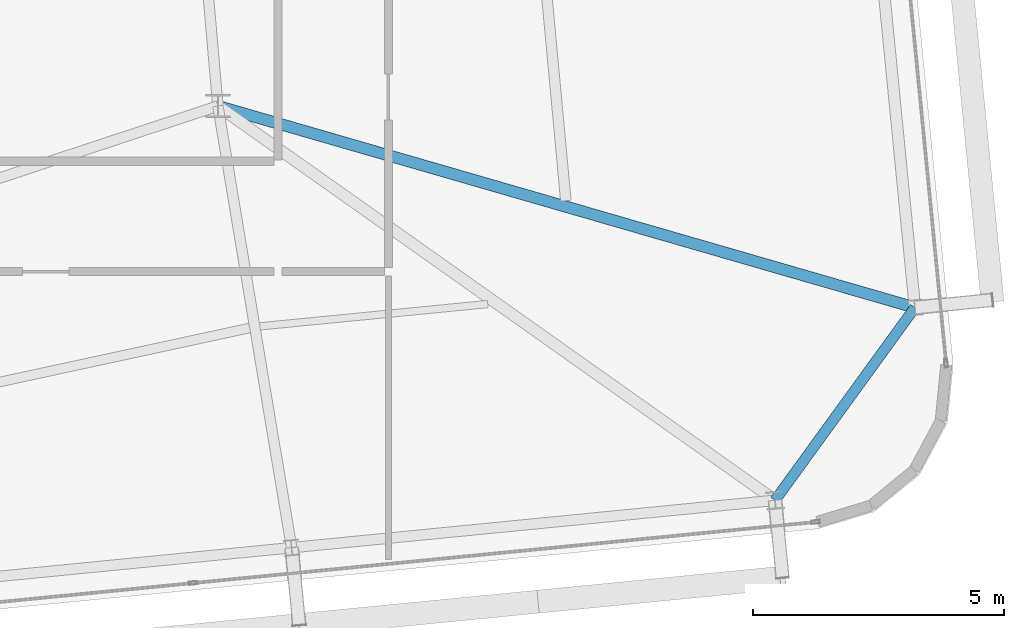
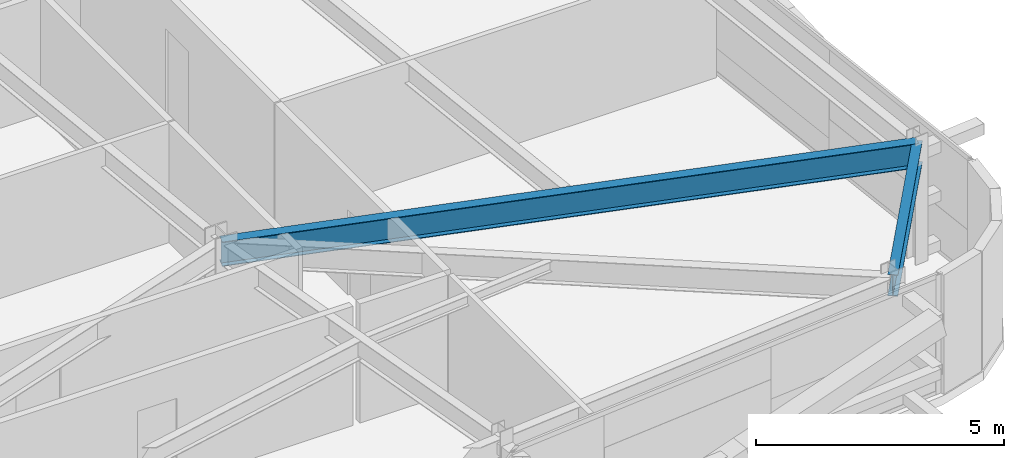
# One storey, part 18 of 47: 2 beams.
"""IFC4 building model written with IfcOpenShell, lengths in metres."""

from ifc_helpers import new_model, si_unit, direction, frame, origin, origin_2d, place, context, subcontext, project, spatial, i_section, extrude, source, transform, mapped, material, material_profile, profile_set, type_object, element, save


model = new_model("IFC4")

# Units and contexts
model_context = context("Model", 3, precision=1e-05, world=origin(), true_north=direction((0.0, 1.0)))
body_context = subcontext(model_context, "Body", "Model", "MODEL_VIEW")
ifc_project = project(units=[si_unit("LENGTHUNIT", "METRE"), si_unit("AREAUNIT", "SQUARE_METRE"), si_unit("VOLUMEUNIT", "CUBIC_METRE"), si_unit("PLANEANGLEUNIT", "RADIAN"), si_unit("MASSUNIT", "GRAM", prefix="KILO")], contexts=[model_context])

# Site, building, storey
site_placement = place(None, origin())
site = spatial("IfcSite", under=ifc_project, at=site_placement, CompositionType="ELEMENT")
building_placement = place(site_placement, origin())
building = spatial("IfcBuilding", under=site, at=building_placement, Name="Taldren Reach Tower", CompositionType="ELEMENT")
storey_placement = place(building_placement, frame((0.0, 0.0, 87.14990234375)))
storey = spatial("IfcBuildingStorey", under=building, at=storey_placement, Name="L26", CompositionType="ELEMENT", Elevation=87.14990234375)

# Beams
ifc_material = material(Name="Steel Gr 350 (350PLUS)", Category="steel")
ifc_material_profile_1 = material_profile(ifc_material, i_section(OverallWidth=0.208984375, OverallDepth=0.528076171875, WebThickness=0.009521484375, FlangeThickness=0.01318359375, at=origin_2d()), Name="530UB82.0")
ifc_profile_set_1 = profile_set([ifc_material_profile_1], Name="Steel Gr 350 (350PLUS)")
beam_type_1 = type_object("IfcBeamType", Name="SP-UB530B", PredefinedType="SPANDREL", material=ifc_profile_set_1)
shared_shape_1 = source(origin(), body_context, "Body", "SweptSolid", [
    extrude(i_section(OverallWidth=0.208984375, OverallDepth=0.528076171875, WebThickness=0.009521484375, FlangeThickness=0.01318359375, at=origin_2d()), origin(), (0.0, 0.0, 1.0), 4.74609375),
])
beam_1_placement = place(storey_placement, frame((63.103271484375, 4.64306640625, 2.666015625), z_axis=(0.58750777154, 0.809218523255, 0.0), x_axis=(-0.809218523255, 0.58750777154, 0.0)))
element("IfcBeam", 1, at=beam_1_placement, inside=storey, type_object=beam_type_1, Name="Perimeter spandrel B2 S6-E1 L26", PredefinedType="SPANDREL", context=body_context, shape_type="MappedRepresentation", body=[
    mapped(shared_shape_1, transform((0.0, 0.0, 0.0), scale=1.0)),
])
ifc_material_profile_2 = material_profile(ifc_material, i_section(OverallWidth=0.22802734375, OverallDepth=0.60205078125, WebThickness=0.010498046875, FlangeThickness=0.014892578125, at=origin_2d()), Name="610UB101")
ifc_profile_set_2 = profile_set([ifc_material_profile_2], Name="Steel Gr 350 (350PLUS)")
beam_type_2 = type_object("IfcBeamType", Name="BM-UB610B", PredefinedType="BEAM", material=ifc_profile_set_2)
shared_shape_2 = source(origin(), body_context, "Body", "SweptSolid", [
    extrude(i_section(OverallWidth=0.22802734375, OverallDepth=0.60205078125, WebThickness=0.010498046875, FlangeThickness=0.014892578125, at=origin_2d()), origin(), (0.0, 0.0, 1.0), 14.46044921875),
])
beam_2_placement = place(storey_placement, frame((52.0, 12.5, 2.629150390625), z_axis=(0.960654638583, -0.277745684698, 0.0), x_axis=(0.277745684698, 0.960654638583, 0.0)))
element("IfcBeam", 2, at=beam_2_placement, inside=storey, type_object=beam_type_2, Name="Primary floor girder B2-E1 L26", PredefinedType="BEAM", context=body_context, shape_type="MappedRepresentation", body=[
    mapped(shared_shape_2, transform((0.0, 0.0, 0.0), scale=1.0)),
])

save(model, "model.ifc")
